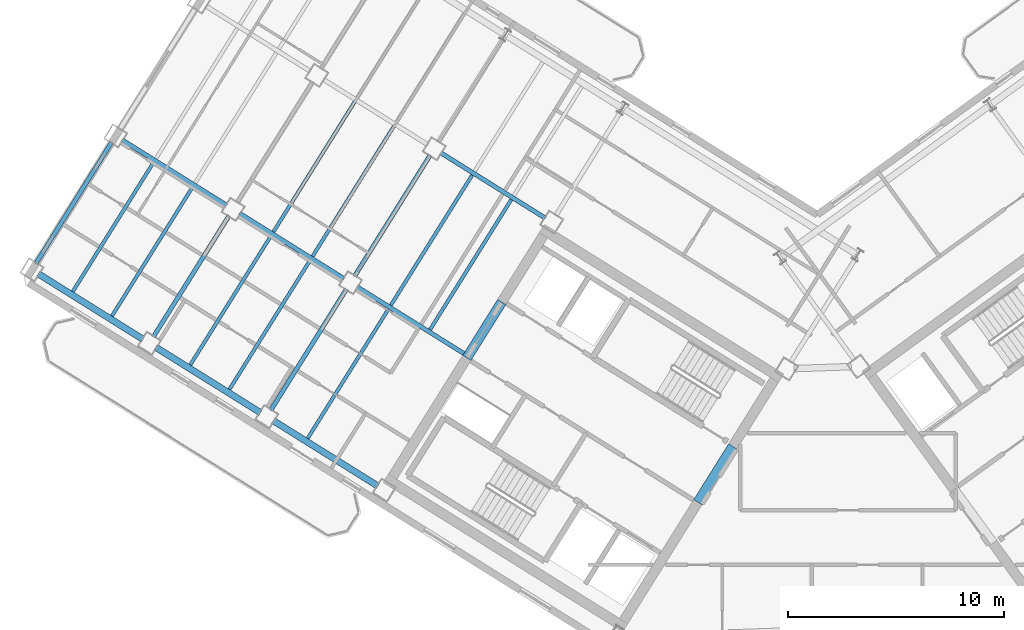
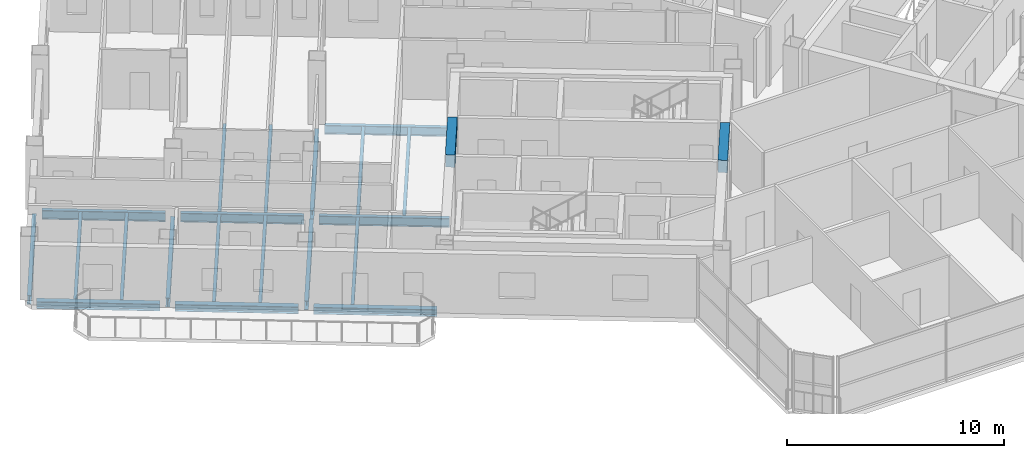
# One storey, part 5 of 20: 22 beams.
"""IFC4 building model written with IfcOpenShell, lengths in metres."""

from ifc_helpers import new_model, si_unit, direction, frame, origin, origin_2d, place, context, subcontext, project, spatial, rectangle, i_section, extrude, source, transform, mapped, material, material_profile, profile_set, type_object, element, save


model = new_model("IFC4")

# Units and contexts
model_context = context("Model", 3, precision=1e-05, world=origin(), true_north=direction((0.0, 1.0)))
body_context = subcontext(model_context, "Body", "Model", "MODEL_VIEW")
ifc_project = project(units=[si_unit("LENGTHUNIT", "METRE"), si_unit("AREAUNIT", "SQUARE_METRE"), si_unit("VOLUMEUNIT", "CUBIC_METRE"), si_unit("PLANEANGLEUNIT", "RADIAN"), si_unit("MASSUNIT", "GRAM", prefix="KILO")], contexts=[model_context])

# Site, building, storey
site_placement = place(None, origin())
site = spatial("IfcSite", under=ifc_project, at=site_placement, CompositionType="ELEMENT")
building_placement = place(site_placement, origin())
building = spatial("IfcBuilding", under=site, at=building_placement, Name="Tlacorven Tower", CompositionType="ELEMENT")
storey_placement = place(building_placement, frame((0.0, 0.0, 225.60009765625)))
storey = spatial("IfcBuildingStorey", under=building, at=storey_placement, Name="L57", CompositionType="ELEMENT", Elevation=225.60009765625)

# Beams
ifc_material_1 = material(Name="Concrete C60/75", Category="concrete")
ifc_material_profile_1 = material_profile(ifc_material_1, rectangle(XDim=0.449951171875, YDim=0.699951171875, at=origin_2d()), Name="RC 450X700")
ifc_profile_set_1 = profile_set([ifc_material_profile_1], Name="Concrete C60/75")
beam_type_1 = type_object("IfcBeamType", Name="BM-LNT-700", PredefinedType="LINTEL", material=ifc_profile_set_1)
shared_shape_1 = source(origin(), body_context, "Body", "SweptSolid", [
    extrude(rectangle(XDim=0.449951171875, YDim=0.699951171875, at=origin_2d()), origin(), (0.0, 0.0, 1.0), 3.050048828125),
])
beam_1_placement = place(storey_placement, frame((38.2998046875, 20.890625, 3.0), z_axis=(-0.529984549635, -0.848007297815, 0.0), x_axis=(0.848007297815, -0.529984549635, 0.0)))
element("IfcBeam", 1, at=beam_1_placement, inside=storey, type_object=beam_type_1, Name="L57 W core coupling lintel beam E1", PredefinedType="LINTEL", context=body_context, shape_type="MappedRepresentation", body=[
    mapped(shared_shape_1, transform((0.0, 0.0, 0.0), scale=1.0)),
])
shared_shape_2 = source(origin(), body_context, "Body", "SweptSolid", [
    extrude(rectangle(XDim=0.449951171875, YDim=0.699951171875, at=origin_2d()), origin(), (0.0, 0.0, 1.0), 3.0498046875),
])
beam_2_placement = place(storey_placement, frame((27.622802734375, 27.562255859375, 3.0), z_axis=(-0.529926983584, -0.848043272522, 0.0), x_axis=(0.848043272522, -0.529926983584, 0.0)))
element("IfcBeam", 2, at=beam_2_placement, inside=storey, type_object=beam_type_1, Name="L57 W core coupling lintel beam E2", PredefinedType="LINTEL", context=body_context, shape_type="MappedRepresentation", body=[
    mapped(shared_shape_2, transform((0.0, 0.0, 0.0), scale=1.0)),
])
ifc_material_2 = material(Name="Steel S355J2", Category="steel")
ifc_material_profile_2 = material_profile(ifc_material_2, i_section(OverallWidth=0.199951171875, OverallDepth=0.5, WebThickness=0.01025390625, FlangeThickness=0.01611328125, at=origin_2d()), Name="IPE 500")
ifc_profile_set_2 = profile_set([ifc_material_profile_2], Name="Steel S355J2")
beam_type_2 = type_object("IfcBeamType", Name="BM-TWR-500", PredefinedType="BEAM", material=ifc_profile_set_2)
shared_shape_3 = source(origin(), body_context, "Body", "SweptSolid", [
    extrude(i_section(OverallWidth=0.199951171875, OverallDepth=0.5, WebThickness=0.01025390625, FlangeThickness=0.01611328125, at=origin_2d()), origin(), (0.0, 0.0, 1.0), 6.010009765625),
])
beam_3_placement = place(storey_placement, frame((26.025634765625, 25.081787109375, -0.5), z_axis=(-0.848043944584, 0.529925908081, 0.0), x_axis=(-0.529925908081, -0.848043944584, 0.0)))
element("IfcBeam", 3, at=beam_3_placement, inside=storey, type_object=beam_type_2, Name="L57 beam BM-L57-WL3-3", PredefinedType="BEAM", context=body_context, shape_type="MappedRepresentation", body=[
    mapped(shared_shape_3, transform((0.0, 0.0, 0.0), scale=1.0)),
])
shared_shape_4 = source(origin(), body_context, "Body", "SweptSolid", [
    extrude(i_section(OverallWidth=0.199951171875, OverallDepth=0.5, WebThickness=0.01025390625, FlangeThickness=0.01611328125, at=origin_2d()), origin(), (0.0, 0.0, 1.0), 5.7001953125),
])
for number, where, z_axis, x_axis, name in (
    (4, (20.335205078125, 28.637451171875, -0.5), (-0.848036800771, 0.529937340199, 0.0), (-0.529937340199, -0.848036800771, 0.0), "L57 beam BM-L57-WL3-4"),
    (5, (14.90771484375, 32.029052734375, -0.5), (-0.848056048787, 0.529906537151, 0.0), (-0.529906537151, -0.848056048787, 0.0), "L57 beam BM-L57-WL3-5"),
):
    element("IfcBeam", number, at=place(storey_placement, frame(where, z_axis=z_axis, x_axis=x_axis)), inside=storey, type_object=beam_type_2, Name=name, PredefinedType="BEAM", context=body_context, shape_type="MappedRepresentation", body=[
        mapped(shared_shape_4, transform((0.0, 0.0, 0.0), scale=1.0)),
    ])
shared_shape_5 = source(origin(), body_context, "Body", "SweptSolid", [
    extrude(i_section(OverallWidth=0.199951171875, OverallDepth=0.5, WebThickness=0.01025390625, FlangeThickness=0.01611328125, at=origin_2d()), origin(), (0.0, 0.0, 1.0), 5.699951171875),
])
beam_4_placement = place(storey_placement, frame((29.631103515625, 31.436767578125, -0.5), z_axis=(-0.848044021115, 0.529925785607, 0.0), x_axis=(-0.529925785607, -0.848044021115, 0.0)))
element("IfcBeam", 6, at=beam_4_placement, inside=storey, type_object=beam_type_2, Name="L57 beam BM-L57-WL2-3", PredefinedType="BEAM", context=body_context, shape_type="MappedRepresentation", body=[
    mapped(shared_shape_5, transform((0.0, 0.0, 0.0), scale=1.0)),
])
shared_shape_6 = source(origin(), body_context, "Body", "SweptSolid", [
    extrude(i_section(OverallWidth=0.199951171875, OverallDepth=0.5, WebThickness=0.01025390625, FlangeThickness=0.01611328125, at=origin_2d()), origin(), (0.0, 0.0, 1.0), 6.599853515625),
])
beam_5_placement = place(storey_placement, frame((24.31494140625, 34.345947265625, -0.5), z_axis=(-0.529942412256, -0.848033631227, 0.0), x_axis=(0.848033631227, -0.529942412256, 0.0)))
element("IfcBeam", 7, at=beam_5_placement, inside=storey, type_object=beam_type_2, Name="L57 beam BM-L57-WT4-2", PredefinedType="BEAM", context=body_context, shape_type="MappedRepresentation", body=[
    mapped(shared_shape_6, transform((0.0, 0.0, 0.0), scale=1.0)),
])
shared_shape_7 = source(origin(), body_context, "Body", "SweptSolid", [
    extrude(i_section(OverallWidth=0.199951171875, OverallDepth=0.5, WebThickness=0.01025390625, FlangeThickness=0.01611328125, at=origin_2d()), origin(), (0.0, 0.0, 1.0), 6.60009765625),
])
for number, where, z_axis, x_axis, name in (
    (8, (20.446533203125, 28.1552734375, -0.5), (-0.529925788294, -0.848044019436, 0.0), (0.848044019436, -0.529925788294, 0.0), "L57 beam BM-L57-WT4-3"),
    (9, (15.01904296875, 31.546875, -0.5), (-0.529925788294, -0.848044019436, 0.0), (0.848044019436, -0.529925788294, 0.0), "L57 beam BM-L57-WT5-3"),
    (10, (9.591552734375, 34.938232421875, -0.5), (-0.529925788294, -0.848044019436, 0.0), (0.848044019436, -0.529925788294, 0.0), "L57 beam BM-L57-WT6-3"),
):
    element("IfcBeam", number, at=place(storey_placement, frame(where, z_axis=z_axis, x_axis=x_axis)), inside=storey, type_object=beam_type_2, Name=name, PredefinedType="BEAM", context=body_context, shape_type="MappedRepresentation", body=[
        mapped(shared_shape_7, transform((0.0, 0.0, 0.0), scale=1.0)),
    ])
ifc_material_profile_3 = material_profile(ifc_material_2, i_section(OverallWidth=0.159912109375, OverallDepth=0.330078125, WebThickness=0.007568359375, FlangeThickness=0.011474609375, at=origin_2d()), Name="IPE 330")
ifc_profile_set_3 = profile_set([ifc_material_profile_3], Name="Steel S355J2")
beam_type_3 = type_object("IfcBeamType", Name="BM-JST-330", PredefinedType="JOIST", material=ifc_profile_set_3)
shared_shape_8 = source(origin(), body_context, "Body", "SweptSolid", [
    extrude(i_section(OverallWidth=0.159912109375, OverallDepth=0.330078125, WebThickness=0.007568359375, FlangeThickness=0.011474609375, at=origin_2d()), origin(), (0.0, 0.0, 1.0), 7.0400390625),
])
for number, where, z_axis, x_axis, name in (
    (11, (18.767333984375, 29.493408203125, -0.4150390625), (-0.529930359501, -0.848041162963, 0.0), (0.848041162963, -0.529930359501, 0.0), "L57 beam BM-L57-WJ4-3-1"),
    (12, (16.9580078125, 30.6240234375, -0.4150390625), (-0.529930359501, -0.848041162963, 0.0), (0.848041162963, -0.529930359501, 0.0), "L57 beam BM-L57-WJ4-3-2"),
    (13, (13.33984375, 32.885009765625, -0.4150390625), (-0.529930359501, -0.848041162963, 0.0), (0.848041162963, -0.529930359501, 0.0), "L57 beam BM-L57-WJ5-3-1"),
):
    element("IfcBeam", number, at=place(storey_placement, frame(where, z_axis=z_axis, x_axis=x_axis)), inside=storey, type_object=beam_type_3, Name=name, PredefinedType="JOIST", context=body_context, shape_type="MappedRepresentation", body=[
        mapped(shared_shape_8, transform((0.0, 0.0, 0.0), scale=1.0)),
    ])
shared_shape_9 = source(origin(), body_context, "Body", "SweptSolid", [
    extrude(i_section(OverallWidth=0.159912109375, OverallDepth=0.330078125, WebThickness=0.007568359375, FlangeThickness=0.011474609375, at=origin_2d()), origin(), (0.0, 0.0, 1.0), 7.090087890625),
])
for number, where, z_axis, x_axis, name in (
    (14, (28.063232421875, 32.292724609375, -0.4150390625), (-0.529912270669, -0.84805246618, 0.0), (0.84805246618, -0.529912270669, 0.0), "L57 beam BM-L57-WJ3-2-1"),
    (15, (26.25390625, 33.42333984375, -0.4150390625), (-0.529912270669, -0.84805246618, 0.0), (0.84805246618, -0.529912270669, 0.0), "L57 beam BM-L57-WJ3-2-2"),
    (16, (22.6357421875, 35.684326171875, -0.4150390625), (-0.529937035031, -0.848036991471, 0.0), (0.848036991471, -0.529937035031, 0.0), "L57 beam BM-L57-WJ4-2-1"),
):
    element("IfcBeam", number, at=place(storey_placement, frame(where, z_axis=z_axis, x_axis=x_axis)), inside=storey, type_object=beam_type_3, Name=name, PredefinedType="JOIST", context=body_context, shape_type="MappedRepresentation", body=[
        mapped(shared_shape_9, transform((0.0, 0.0, 0.0), scale=1.0)),
    ])
shared_shape_10 = source(origin(), body_context, "Body", "SweptSolid", [
    extrude(i_section(OverallWidth=0.159912109375, OverallDepth=0.330078125, WebThickness=0.007568359375, FlangeThickness=0.011474609375, at=origin_2d()), origin(), (0.0, 0.0, 1.0), 7.08984375),
])
beam_6_placement = place(storey_placement, frame((20.826416015625, 36.814697265625, -0.4150390625), z_axis=(-0.529927745663, -0.848042796312, 0.0), x_axis=(0.848042796312, -0.529927745663, 0.0)))
element("IfcBeam", 17, at=beam_6_placement, inside=storey, type_object=beam_type_3, Name="L57 beam BM-L57-WJ4-2-2", PredefinedType="JOIST", context=body_context, shape_type="MappedRepresentation", body=[
    mapped(shared_shape_10, transform((0.0, 0.0, 0.0), scale=1.0)),
])
shared_shape_11 = source(origin(), body_context, "Body", "SweptSolid", [
    extrude(i_section(OverallWidth=0.159912109375, OverallDepth=0.330078125, WebThickness=0.007568359375, FlangeThickness=0.011474609375, at=origin_2d()), origin(), (0.0, 0.0, 1.0), 7.040283203125),
])
for number, where, z_axis, x_axis, name in (
    (18, (22.385498046875, 27.232666015625, -0.4150390625), (-0.529914775015, -0.848050901315, 0.0), (0.848050901315, -0.529914775015, 0.0), "L57 beam BM-L57-WJ3-3-2"),
    (19, (11.530517578125, 34.015625, -0.4150390625), (-0.529914775015, -0.848050901315, 0.0), (0.848050901315, -0.529914775015, 0.0), "L57 beam BM-L57-WJ5-3-2"),
):
    element("IfcBeam", number, at=place(storey_placement, frame(where, z_axis=z_axis, x_axis=x_axis)), inside=storey, type_object=beam_type_3, Name=name, PredefinedType="JOIST", context=body_context, shape_type="MappedRepresentation", body=[
        mapped(shared_shape_11, transform((0.0, 0.0, 0.0), scale=1.0)),
    ])
ifc_material_profile_4 = material_profile(ifc_material_2, i_section(OverallWidth=0.300048828125, OverallDepth=0.389892578125, WebThickness=0.010986328125, FlangeThickness=0.01904296875, at=origin_2d()), Name="HEA 400")
ifc_profile_set_4 = profile_set([ifc_material_profile_4], Name="Steel S355J2")
beam_type_4 = type_object("IfcBeamType", Name="BM-SPN-400", PredefinedType="SPANDREL", material=ifc_profile_set_4)
shared_shape_12 = source(origin(), body_context, "Body", "SweptSolid", [
    extrude(i_section(OverallWidth=0.300048828125, OverallDepth=0.389892578125, WebThickness=0.010986328125, FlangeThickness=0.01904296875, at=origin_2d()), origin(), (0.0, 0.0, 1.0), 5.699951171875),
])
beam_7_placement = place(storey_placement, frame((21.894287109375, 19.055419921875, -0.445068359375), z_axis=(-0.848044021115, 0.529925785607, 0.0), x_axis=(-0.529925785607, -0.848044021115, 0.0)))
element("IfcBeam", 20, at=beam_7_placement, inside=storey, type_object=beam_type_4, Name="L57 beam BM-L57-WL4-3", PredefinedType="SPANDREL", context=body_context, shape_type="MappedRepresentation", body=[
    mapped(shared_shape_12, transform((0.0, 0.0, 0.0), scale=1.0)),
])
shared_shape_13 = source(origin(), body_context, "Body", "SweptSolid", [
    extrude(i_section(OverallWidth=0.300048828125, OverallDepth=0.389892578125, WebThickness=0.010986328125, FlangeThickness=0.01904296875, at=origin_2d()), origin(), (0.0, 0.0, 1.0), 5.7001953125),
])
for number, where, z_axis, x_axis, name in (
    (21, (16.466796875, 22.44677734375, -0.445068359375), (-0.848056048787, 0.529906537151, 0.0), (-0.529906537151, -0.848056048787, 0.0), "L57 beam BM-L57-WL4-4"),
    (22, (11.039306640625, 25.83837890625, -0.445068359375), (-0.848056048787, 0.529906537151, 0.0), (-0.529906537151, -0.848056048787, 0.0), "L57 beam BM-L57-WL4-5"),
):
    element("IfcBeam", number, at=place(storey_placement, frame(where, z_axis=z_axis, x_axis=x_axis)), inside=storey, type_object=beam_type_4, Name=name, PredefinedType="SPANDREL", context=body_context, shape_type="MappedRepresentation", body=[
        mapped(shared_shape_13, transform((0.0, 0.0, 0.0), scale=1.0)),
    ])

save(model, "model.ifc")
